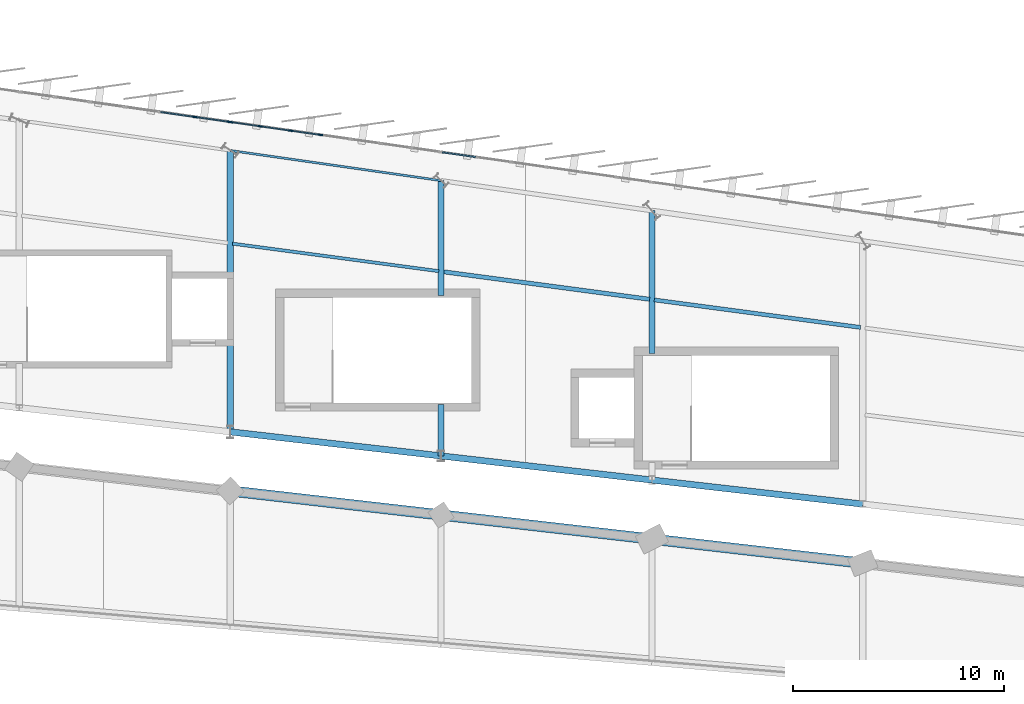
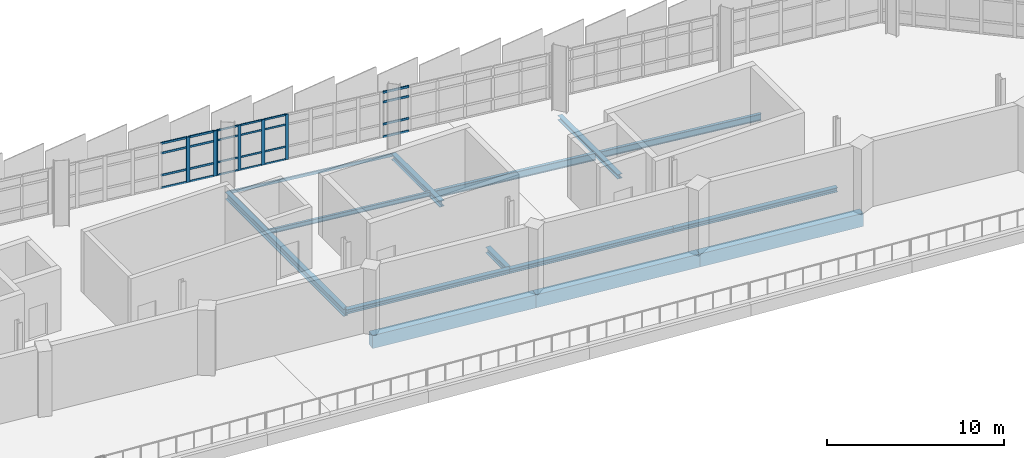
# One storey, part 36 of 87: 30 members, 14 beams, 3 elements without a shape of their own.
"""IFC4 building model written with IfcOpenShell, lengths in metres."""

from ifc_helpers import new_model, si_unit, direction, frame, origin, origin_2d, place, context, subcontext, project, spatial, rectangle, hollow_rectangle, i_section, extrude, material, layer, layer_set, material_profile, profile_set, type_object, element, aggregate, save


model = new_model("IFC4")

# Units and contexts
model_context = context("Model", 3, precision=1e-05, world=origin(), true_north=direction((0.0, 1.0)))
body_context = subcontext(model_context, "Body", "Model", "MODEL_VIEW")
ifc_project = project(units=[si_unit("LENGTHUNIT", "METRE"), si_unit("AREAUNIT", "SQUARE_METRE"), si_unit("VOLUMEUNIT", "CUBIC_METRE"), si_unit("PLANEANGLEUNIT", "RADIAN"), si_unit("MASSUNIT", "GRAM", prefix="KILO")], contexts=[model_context])

# Site, building, storey
site_placement = place(None, origin())
site = spatial("IfcSite", under=ifc_project, at=site_placement, CompositionType="ELEMENT")
building_placement = place(site_placement, origin())
building = spatial("IfcBuilding", under=site, at=building_placement, Name="Sohan Crest Arena", CompositionType="ELEMENT")
storey_placement = place(building_placement, frame((0.0, 0.0, 18.0)))
storey = spatial("IfcBuildingStorey", under=building, at=storey_placement, Name="L04", CompositionType="ELEMENT", Elevation=18.0)

# Curtain wall, members
ifc_material_1 = material(Name="Thermally broken anodised aluminium", Category="aluminium")
ifc_layer_1 = layer(ifc_material_1, 0.179931640625, Name="Thermally broken anodised aluminium")
ifc_layer_set_1 = layer_set([ifc_layer_1], Name="Thermally broken anodised aluminium")
curtain_wall_type_1 = type_object("IfcCurtainWallType", Name="ARC-CW01", PredefinedType="NOTDEFINED", material=ifc_layer_set_1)
curtain_wall_1_placement = place(storey_placement, origin())
curtain_wall_1 = element("IfcCurtainWall", 1, at=curtain_wall_1_placement, inside=storey, type_object=curtain_wall_type_1, Name="Unitised curtain wall CW-142", PredefinedType="NOTDEFINED")
ifc_material_profile_1 = material_profile(ifc_material_1, rectangle(XDim=0.070068359375, YDim=0.199951171875, at=origin_2d()), Name="ALU-MULL 70x200")
ifc_profile_set_1 = profile_set([ifc_material_profile_1], Name="Thermally broken anodised aluminium")
member_type_1 = type_object("IfcMemberType", Name="ARC-CW-ML03", PredefinedType="MULLION", material=ifc_profile_set_1)
member_1_placement = place(storey_placement, frame((132.28564453125, 122.451904296875, 0.0), z_axis=(0.0, 0.0, 1.0), x_axis=(-0.141365918403, -0.989957411768, 0.0)))
member_1 = element("IfcMember", 2, at=member_1_placement, type_object=member_type_1, Name="CW-142 mullion 5", PredefinedType="MULLION", context=body_context, shape_type="SweptSolid", body=[
    extrude(rectangle(XDim=0.070068359375, YDim=0.199951171875, at=origin_2d()), origin(), (0.0, 0.0, 1.0), 3.1201171875),
])
member_2_placement = place(storey_placement, frame((130.857177734375, 122.656005859375, 0.0), z_axis=(0.0, 0.0, 1.0), x_axis=(-0.141365918403, -0.989957411768, 0.0)))
member_2 = element("IfcMember", 3, at=member_2_placement, type_object=member_type_1, Name="CW-142 mullion 6", PredefinedType="MULLION", context=body_context, shape_type="SweptSolid", body=[
    extrude(rectangle(XDim=0.070068359375, YDim=0.199951171875, at=origin_2d()), origin(), (0.0, 0.0, 1.0), 3.1201171875),
])
member_3_placement = place(storey_placement, frame((129.428466796875, 122.860107421875, 0.0), z_axis=(0.0, 0.0, 1.0), x_axis=(-0.141365918403, -0.989957411768, 0.0)))
member_3 = element("IfcMember", 4, at=member_3_placement, type_object=member_type_1, Name="CW-142 mullion 7", PredefinedType="MULLION", context=body_context, shape_type="SweptSolid", body=[
    extrude(rectangle(XDim=0.070068359375, YDim=0.199951171875, at=origin_2d()), origin(), (0.0, 0.0, 1.0), 3.1201171875),
])
member_4_placement = place(storey_placement, frame((128.03466796875, 123.05908203125, 0.0), z_axis=(0.0, 0.0, 1.0), x_axis=(-0.141365918403, -0.989957411768, 0.0)))
member_4 = element("IfcMember", 5, at=member_4_placement, type_object=member_type_1, Name="CW-142 mullion 8", PredefinedType="MULLION", context=body_context, shape_type="SweptSolid", body=[
    extrude(rectangle(XDim=0.070068359375, YDim=0.199951171875, at=origin_2d()), origin(), (0.0, 0.0, 1.0), 3.1201171875),
])

ifc_layer_2 = layer(ifc_material_1, 0.199951171875, Name="Thermally broken anodised aluminium")
ifc_layer_set_2 = layer_set([ifc_layer_2], Name="Thermally broken anodised aluminium")
curtain_wall_type_2 = type_object("IfcCurtainWallType", Name="ARC-CW02", PredefinedType="NOTDEFINED", material=ifc_layer_set_2)
curtain_wall_2_placement = place(storey_placement, origin())
curtain_wall_2 = element("IfcCurtainWall", 6, at=curtain_wall_2_placement, inside=storey, type_object=curtain_wall_type_2, Name="Unitised curtain wall CW-143", PredefinedType="NOTDEFINED")
ifc_material_profile_2 = material_profile(ifc_material_1, rectangle(XDim=0.074951171875, YDim=0.219970703125, at=origin_2d()), Name="ALU-MULL 75x220")
ifc_profile_set_2 = profile_set([ifc_material_profile_2], Name="Thermally broken anodised aluminium")
member_type_2 = type_object("IfcMemberType", Name="ARC-CW-ML04", PredefinedType="MULLION", material=ifc_profile_set_2)
member_5_placement = place(storey_placement, frame((127.962890625, 123.0693359375, 0.0), z_axis=(0.0, 0.0, 1.0), x_axis=(-0.141462933734, -0.989943553128, 0.0)))
member_5 = element("IfcMember", 7, at=member_5_placement, type_object=member_type_2, Name="CW-143 mullion 1", PredefinedType="MULLION", context=body_context, shape_type="SweptSolid", body=[
    extrude(rectangle(XDim=0.074951171875, YDim=0.219970703125, at=origin_2d()), origin(), (0.0, 0.0, 1.0), 3.1201171875),
])
member_6_placement = place(storey_placement, frame((126.333251953125, 123.30224609375, 0.0), z_axis=(0.0, 0.0, 1.0), x_axis=(-0.141462933734, -0.989943553128, 0.0)))
member_6 = element("IfcMember", 8, at=member_6_placement, type_object=member_type_2, Name="CW-143 mullion 2", PredefinedType="MULLION", context=body_context, shape_type="SweptSolid", body=[
    extrude(rectangle(XDim=0.074951171875, YDim=0.219970703125, at=origin_2d()), origin(), (0.0, 0.0, 1.0), 3.1201171875),
])

# Member
ifc_material_profile_3 = material_profile(ifc_material_1, rectangle(XDim=0.06005859375, YDim=0.1201171875, at=origin_2d()), Name="ALU-TRAN 60x120")
ifc_profile_set_3 = profile_set([ifc_material_profile_3], Name="Thermally broken anodised aluminium")
member_type_3 = type_object("IfcMemberType", Name="ARC-CW-TR01", PredefinedType="USERDEFINED", material=ifc_profile_set_3)
member_7_placement = place(storey_placement, frame((132.2509765625, 122.45703125, 0.030029296875), z_axis=(-0.989956605444, 0.141371564815, 0.0), x_axis=(-0.141371564815, -0.989956605444, 0.0)))
member_7 = element("IfcMember", 9, at=member_7_placement, type_object=member_type_3, Name="CW-142 transom 5.1", ObjectType="TRANSOM", PredefinedType="USERDEFINED", context=body_context, shape_type="SweptSolid", body=[
    extrude(rectangle(XDim=0.06005859375, YDim=0.1201171875, at=origin_2d()), origin(), (0.0, 0.0, 1.0), 1.372802734375),
])

member_8_placement = place(storey_placement, frame((132.2509765625, 122.45703125, 0.89990234375), z_axis=(-0.989956605444, 0.141371564815, 0.0), x_axis=(-0.141371564815, -0.989956605444, 0.0)))
member_8 = element("IfcMember", 10, at=member_8_placement, type_object=member_type_3, Name="CW-142 transom 5.2", ObjectType="TRANSOM", PredefinedType="USERDEFINED", context=body_context, shape_type="SweptSolid", body=[
    extrude(rectangle(XDim=0.06005859375, YDim=0.1201171875, at=origin_2d()), origin(), (0.0, 0.0, 1.0), 1.372802734375),
])

member_9_placement = place(storey_placement, frame((132.2509765625, 122.45703125, 2.419921875), z_axis=(-0.989956605444, 0.141371564815, 0.0), x_axis=(-0.141371564815, -0.989956605444, 0.0)))
member_9 = element("IfcMember", 11, at=member_9_placement, type_object=member_type_3, Name="CW-142 transom 5.3", ObjectType="TRANSOM", PredefinedType="USERDEFINED", context=body_context, shape_type="SweptSolid", body=[
    extrude(rectangle(XDim=0.06005859375, YDim=0.1201171875, at=origin_2d()), origin(), (0.0, 0.0, 1.0), 1.372802734375),
])

member_10_placement = place(storey_placement, frame((132.2509765625, 122.45703125, 3.090087890625), z_axis=(-0.989956605444, 0.141371564815, 0.0), x_axis=(-0.141371564815, -0.989956605444, 0.0)))
member_10 = element("IfcMember", 12, at=member_10_placement, type_object=member_type_3, Name="CW-142 transom 5.4", ObjectType="TRANSOM", PredefinedType="USERDEFINED", context=body_context, shape_type="SweptSolid", body=[
    extrude(rectangle(XDim=0.06005859375, YDim=0.1201171875, at=origin_2d()), origin(), (0.0, 0.0, 1.0), 1.372802734375),
])

member_11_placement = place(storey_placement, frame((130.822509765625, 122.660888671875, 0.030029296875), z_axis=(-0.989960158519, 0.141346682116, 0.0), x_axis=(-0.141346682116, -0.989960158519, 0.0)))
member_11 = element("IfcMember", 13, at=member_11_placement, type_object=member_type_3, Name="CW-142 transom 6.1", ObjectType="TRANSOM", PredefinedType="USERDEFINED", context=body_context, shape_type="SweptSolid", body=[
    extrude(rectangle(XDim=0.06005859375, YDim=0.1201171875, at=origin_2d()), origin(), (0.0, 0.0, 1.0), 1.373046875),
])

member_12_placement = place(storey_placement, frame((130.822509765625, 122.660888671875, 0.89990234375), z_axis=(-0.989960158519, 0.141346682116, 0.0), x_axis=(-0.141346682116, -0.989960158519, 0.0)))
member_12 = element("IfcMember", 14, at=member_12_placement, type_object=member_type_3, Name="CW-142 transom 6.2", ObjectType="TRANSOM", PredefinedType="USERDEFINED", context=body_context, shape_type="SweptSolid", body=[
    extrude(rectangle(XDim=0.06005859375, YDim=0.1201171875, at=origin_2d()), origin(), (0.0, 0.0, 1.0), 1.373046875),
])

member_13_placement = place(storey_placement, frame((130.822509765625, 122.660888671875, 2.419921875), z_axis=(-0.989960158519, 0.141346682116, 0.0), x_axis=(-0.141346682116, -0.989960158519, 0.0)))
member_13 = element("IfcMember", 15, at=member_13_placement, type_object=member_type_3, Name="CW-142 transom 6.3", ObjectType="TRANSOM", PredefinedType="USERDEFINED", context=body_context, shape_type="SweptSolid", body=[
    extrude(rectangle(XDim=0.06005859375, YDim=0.1201171875, at=origin_2d()), origin(), (0.0, 0.0, 1.0), 1.373046875),
])

member_14_placement = place(storey_placement, frame((130.822509765625, 122.660888671875, 3.090087890625), z_axis=(-0.989960158519, 0.141346682116, 0.0), x_axis=(-0.141346682116, -0.989960158519, 0.0)))
member_14 = element("IfcMember", 16, at=member_14_placement, type_object=member_type_3, Name="CW-142 transom 6.4", ObjectType="TRANSOM", PredefinedType="USERDEFINED", context=body_context, shape_type="SweptSolid", body=[
    extrude(rectangle(XDim=0.06005859375, YDim=0.1201171875, at=origin_2d()), origin(), (0.0, 0.0, 1.0), 1.373046875),
])

member_15_placement = place(storey_placement, frame((129.39404296875, 122.864990234375, 0.030029296875), z_axis=(-0.989953142256, 0.141395813721, 0.0), x_axis=(-0.141395813721, -0.989953142256, 0.0)))
member_15 = element("IfcMember", 17, at=member_15_placement, type_object=member_type_3, Name="CW-142 transom 7.1", ObjectType="TRANSOM", PredefinedType="USERDEFINED", context=body_context, shape_type="SweptSolid", body=[
    extrude(rectangle(XDim=0.06005859375, YDim=0.1201171875, at=origin_2d()), origin(), (0.0, 0.0, 1.0), 1.338134765625),
])

member_16_placement = place(storey_placement, frame((129.39404296875, 122.864990234375, 0.89990234375), z_axis=(-0.989953142256, 0.141395813721, 0.0), x_axis=(-0.141395813721, -0.989953142256, 0.0)))
member_16 = element("IfcMember", 18, at=member_16_placement, type_object=member_type_3, Name="CW-142 transom 7.2", ObjectType="TRANSOM", PredefinedType="USERDEFINED", context=body_context, shape_type="SweptSolid", body=[
    extrude(rectangle(XDim=0.06005859375, YDim=0.1201171875, at=origin_2d()), origin(), (0.0, 0.0, 1.0), 1.338134765625),
])

member_17_placement = place(storey_placement, frame((129.39404296875, 122.864990234375, 2.419921875), z_axis=(-0.989953142256, 0.141395813721, 0.0), x_axis=(-0.141395813721, -0.989953142256, 0.0)))
member_17 = element("IfcMember", 19, at=member_17_placement, type_object=member_type_3, Name="CW-142 transom 7.3", ObjectType="TRANSOM", PredefinedType="USERDEFINED", context=body_context, shape_type="SweptSolid", body=[
    extrude(rectangle(XDim=0.06005859375, YDim=0.1201171875, at=origin_2d()), origin(), (0.0, 0.0, 1.0), 1.338134765625),
])

member_18_placement = place(storey_placement, frame((129.39404296875, 122.864990234375, 3.090087890625), z_axis=(-0.989953142256, 0.141395813721, 0.0), x_axis=(-0.141395813721, -0.989953142256, 0.0)))
member_18 = element("IfcMember", 20, at=member_18_placement, type_object=member_type_3, Name="CW-142 transom 7.4", ObjectType="TRANSOM", PredefinedType="USERDEFINED", context=body_context, shape_type="SweptSolid", body=[
    extrude(rectangle(XDim=0.06005859375, YDim=0.1201171875, at=origin_2d()), origin(), (0.0, 0.0, 1.0), 1.338134765625),
])

aggregate(curtain_wall_1, [member_1, member_2, member_3, member_4, member_7, member_8, member_9, member_10, member_11, member_12, member_13, member_14, member_15, member_16, member_17, member_18])

ifc_material_profile_4 = material_profile(ifc_material_1, rectangle(XDim=0.06494140625, YDim=0.139892578125, at=origin_2d()), Name="ALU-TRAN 65x140")
ifc_profile_set_4 = profile_set([ifc_material_profile_4], Name="Thermally broken anodised aluminium")
member_type_4 = type_object("IfcMemberType", Name="ARC-CW-TR02", PredefinedType="USERDEFINED", material=ifc_profile_set_4)
member_19_placement = place(storey_placement, frame((127.92578125, 123.07470703125, 0.032470703125), z_axis=(-0.989952601106, 0.141399602418, 0.0), x_axis=(-0.141399602418, -0.989952601106, 0.0)))
member_19 = element("IfcMember", 21, at=member_19_placement, type_object=member_type_4, Name="CW-143 transom 1.1", ObjectType="TRANSOM", PredefinedType="USERDEFINED", context=body_context, shape_type="SweptSolid", body=[
    extrude(rectangle(XDim=0.06494140625, YDim=0.139892578125, at=origin_2d()), origin(), (0.0, 0.0, 1.0), 1.5712890625),
])

member_20_placement = place(storey_placement, frame((127.92578125, 123.07470703125, 0.89990234375), z_axis=(-0.989952601106, 0.141399602418, 0.0), x_axis=(-0.141399602418, -0.989952601106, 0.0)))
member_20 = element("IfcMember", 22, at=member_20_placement, type_object=member_type_4, Name="CW-143 transom 1.2", ObjectType="TRANSOM", PredefinedType="USERDEFINED", context=body_context, shape_type="SweptSolid", body=[
    extrude(rectangle(XDim=0.06494140625, YDim=0.139892578125, at=origin_2d()), origin(), (0.0, 0.0, 1.0), 1.5712890625),
])

member_21_placement = place(storey_placement, frame((127.92578125, 123.07470703125, 2.419921875), z_axis=(-0.989952601106, 0.141399602418, 0.0), x_axis=(-0.141399602418, -0.989952601106, 0.0)))
member_21 = element("IfcMember", 23, at=member_21_placement, type_object=member_type_4, Name="CW-143 transom 1.3", ObjectType="TRANSOM", PredefinedType="USERDEFINED", context=body_context, shape_type="SweptSolid", body=[
    extrude(rectangle(XDim=0.06494140625, YDim=0.139892578125, at=origin_2d()), origin(), (0.0, 0.0, 1.0), 1.5712890625),
])

member_22_placement = place(storey_placement, frame((127.92578125, 123.07470703125, 3.08740234375), z_axis=(-0.989952601106, 0.141399602418, 0.0), x_axis=(-0.141399602418, -0.989952601106, 0.0)))
member_22 = element("IfcMember", 24, at=member_22_placement, type_object=member_type_4, Name="CW-143 transom 1.4", ObjectType="TRANSOM", PredefinedType="USERDEFINED", context=body_context, shape_type="SweptSolid", body=[
    extrude(rectangle(XDim=0.06494140625, YDim=0.139892578125, at=origin_2d()), origin(), (0.0, 0.0, 1.0), 1.5712890625),
])

member_23_placement = place(storey_placement, frame((126.296142578125, 123.307373046875, 0.032470703125), z_axis=(-0.989943421339, 0.141463855978, 0.0), x_axis=(-0.141463855978, -0.989943421339, 0.0)))
member_23 = element("IfcMember", 25, at=member_23_placement, type_object=member_type_4, Name="CW-143 transom 2.1", ObjectType="TRANSOM", PredefinedType="USERDEFINED", context=body_context, shape_type="SweptSolid", body=[
    extrude(rectangle(XDim=0.06494140625, YDim=0.139892578125, at=origin_2d()), origin(), (0.0, 0.0, 1.0), 1.6083984375),
])

member_24_placement = place(storey_placement, frame((126.296142578125, 123.307373046875, 0.89990234375), z_axis=(-0.989943421339, 0.141463855978, 0.0), x_axis=(-0.141463855978, -0.989943421339, 0.0)))
member_24 = element("IfcMember", 26, at=member_24_placement, type_object=member_type_4, Name="CW-143 transom 2.2", ObjectType="TRANSOM", PredefinedType="USERDEFINED", context=body_context, shape_type="SweptSolid", body=[
    extrude(rectangle(XDim=0.06494140625, YDim=0.139892578125, at=origin_2d()), origin(), (0.0, 0.0, 1.0), 1.6083984375),
])

member_25_placement = place(storey_placement, frame((126.296142578125, 123.307373046875, 2.419921875), z_axis=(-0.989943421339, 0.141463855978, 0.0), x_axis=(-0.141463855978, -0.989943421339, 0.0)))
member_25 = element("IfcMember", 27, at=member_25_placement, type_object=member_type_4, Name="CW-143 transom 2.3", ObjectType="TRANSOM", PredefinedType="USERDEFINED", context=body_context, shape_type="SweptSolid", body=[
    extrude(rectangle(XDim=0.06494140625, YDim=0.139892578125, at=origin_2d()), origin(), (0.0, 0.0, 1.0), 1.6083984375),
])

member_26_placement = place(storey_placement, frame((126.296142578125, 123.307373046875, 3.08740234375), z_axis=(-0.989943421339, 0.141463855978, 0.0), x_axis=(-0.141463855978, -0.989943421339, 0.0)))
member_26 = element("IfcMember", 28, at=member_26_placement, type_object=member_type_4, Name="CW-143 transom 2.4", ObjectType="TRANSOM", PredefinedType="USERDEFINED", context=body_context, shape_type="SweptSolid", body=[
    extrude(rectangle(XDim=0.06494140625, YDim=0.139892578125, at=origin_2d()), origin(), (0.0, 0.0, 1.0), 1.6083984375),
])

aggregate(curtain_wall_2, [member_5, member_6, member_19, member_20, member_21, member_22, member_23, member_24, member_25, member_26])

# Curtain wall, members
ifc_layer_3 = layer(ifc_material_1, 0.2099609375, Name="Thermally broken anodised aluminium")
ifc_layer_set_3 = layer_set([ifc_layer_3], Name="Thermally broken anodised aluminium")
curtain_wall_type_3 = type_object("IfcCurtainWallType", Name="ARC-CW06", PredefinedType="NOTDEFINED", material=ifc_layer_set_3)
curtain_wall_3_placement = place(storey_placement, origin())
curtain_wall_3 = element("IfcCurtainWall", 29, at=curtain_wall_3_placement, inside=storey, type_object=curtain_wall_type_3, Name="Unitised curtain wall CW-141", PredefinedType="NOTDEFINED")
ifc_material_profile_5 = material_profile(ifc_material_1, rectangle(XDim=0.070068359375, YDim=0.14990234375, at=origin_2d()), Name="ALU-TRAN 70x150")
ifc_profile_set_5 = profile_set([ifc_material_profile_5], Name="Thermally broken anodised aluminium")
member_type_5 = type_object("IfcMemberType", Name="ARC-CW-TR03", PredefinedType="USERDEFINED", material=ifc_profile_set_5)
member_27_placement = place(storey_placement, frame((139.634521484375, 121.40234375, 0.034912109375), z_axis=(-0.989943335402, 0.141464457353, 0.0), x_axis=(-0.141464457353, -0.989943335402, 0.0)))
member_27 = element("IfcMember", 30, at=member_27_placement, type_object=member_type_5, Name="CW-141 transom 6.1", ObjectType="TRANSOM", PredefinedType="USERDEFINED", context=body_context, shape_type="SweptSolid", body=[
    extrude(rectangle(XDim=0.070068359375, YDim=0.14990234375, at=origin_2d()), origin(), (0.0, 0.0, 1.0), 1.5859375),
])
member_28_placement = place(storey_placement, frame((139.634521484375, 121.40234375, 0.89990234375), z_axis=(-0.989943335402, 0.141464457353, 0.0), x_axis=(-0.141464457353, -0.989943335402, 0.0)))
member_28 = element("IfcMember", 31, at=member_28_placement, type_object=member_type_5, Name="CW-141 transom 6.2", ObjectType="TRANSOM", PredefinedType="USERDEFINED", context=body_context, shape_type="SweptSolid", body=[
    extrude(rectangle(XDim=0.070068359375, YDim=0.14990234375, at=origin_2d()), origin(), (0.0, 0.0, 1.0), 1.5859375),
])
member_29_placement = place(storey_placement, frame((139.634521484375, 121.40234375, 2.419921875), z_axis=(-0.989943335402, 0.141464457353, 0.0), x_axis=(-0.141464457353, -0.989943335402, 0.0)))
member_29 = element("IfcMember", 32, at=member_29_placement, type_object=member_type_5, Name="CW-141 transom 6.3", ObjectType="TRANSOM", PredefinedType="USERDEFINED", context=body_context, shape_type="SweptSolid", body=[
    extrude(rectangle(XDim=0.070068359375, YDim=0.14990234375, at=origin_2d()), origin(), (0.0, 0.0, 1.0), 1.5859375),
])
member_30_placement = place(storey_placement, frame((139.634521484375, 121.40234375, 3.0849609375), z_axis=(-0.989943335402, 0.141464457353, 0.0), x_axis=(-0.141464457353, -0.989943335402, 0.0)))
member_30 = element("IfcMember", 33, at=member_30_placement, type_object=member_type_5, Name="CW-141 transom 6.4", ObjectType="TRANSOM", PredefinedType="USERDEFINED", context=body_context, shape_type="SweptSolid", body=[
    extrude(rectangle(XDim=0.070068359375, YDim=0.14990234375, at=origin_2d()), origin(), (0.0, 0.0, 1.0), 1.5859375),
])
aggregate(curtain_wall_3, [member_27, member_28, member_29, member_30])

# Beams
ifc_material_2 = material(Name="Steel S355", Category="steel")
ifc_material_profile_6 = material_profile(ifc_material_2, i_section(OverallWidth=0.14990234375, OverallDepth=0.300048828125, WebThickness=0.007080078125, FlangeThickness=0.0107421875, at=origin_2d()), Name="IPE 300")
ifc_profile_set_6 = profile_set([ifc_material_profile_6], Name="Steel S355")
beam_type_1 = type_object("IfcBeamType", Name="STR-BM-B01", PredefinedType="JOIST", material=ifc_profile_set_6)
beam_1_placement = place(storey_placement, frame((137.89111328125, 115.991943359375, -0.39990234375), z_axis=(-0.991232437337, 0.132129690721, 0.0), x_axis=(-0.132129690721, -0.991232437337, 0.0)))
element("IfcBeam", 34, at=beam_1_placement, inside=storey, type_object=beam_type_1, Name="Structural beam J-L04-1692", PredefinedType="JOIST", context=body_context, shape_type="SweptSolid", body=[
    extrude(i_section(OverallWidth=0.14990234375, OverallDepth=0.300048828125, WebThickness=0.007080078125, FlangeThickness=0.0107421875, at=origin_2d()), origin(), (0.0, 0.0, 1.0), 9.86865234375),
])
ifc_material_profile_7 = material_profile(ifc_material_2, i_section(OverallWidth=0.18994140625, OverallDepth=0.449951171875, WebThickness=0.009521484375, FlangeThickness=0.0146484375, at=origin_2d()), Name="IPE 450")
ifc_profile_set_7 = profile_set([ifc_material_profile_7], Name="Steel S355")
beam_type_2 = type_object("IfcBeamType", Name="STR-BM-B04", PredefinedType="JOIST", material=ifc_profile_set_7)
beam_2_placement = place(storey_placement, frame((157.89111328125, 113.323974609375, -0.47509765625), z_axis=(-0.991232437337, 0.132129690721, 0.0), x_axis=(-0.132129690721, -0.991232437337, 0.0)))
element("IfcBeam", 35, at=beam_2_placement, inside=storey, type_object=beam_type_2, Name="Structural beam J-L04-1682", PredefinedType="JOIST", context=body_context, shape_type="SweptSolid", body=[
    extrude(i_section(OverallWidth=0.18994140625, OverallDepth=0.449951171875, WebThickness=0.009521484375, FlangeThickness=0.0146484375, at=origin_2d()), origin(), (0.0, 0.0, 1.0), 9.86865234375),
])
ifc_material_profile_8 = material_profile(ifc_material_2, i_section(OverallWidth=0.199951171875, OverallDepth=0.5, WebThickness=0.01025390625, FlangeThickness=0.01611328125, at=origin_2d()), Name="IPE 500")
ifc_profile_set_8 = profile_set([ifc_material_profile_8], Name="Steel S355")
beam_type_3 = type_object("IfcBeamType", Name="STR-BM-B05", PredefinedType="JOIST", material=ifc_profile_set_8)
beam_3_placement = place(storey_placement, frame((147.89111328125, 114.657958984375, -0.5), z_axis=(-0.991232437337, 0.132129690721, 0.0), x_axis=(-0.132129690721, -0.991232437337, 0.0)))
element("IfcBeam", 36, at=beam_3_placement, inside=storey, type_object=beam_type_3, Name="Structural beam J-L04-1687", PredefinedType="JOIST", context=body_context, shape_type="SweptSolid", body=[
    extrude(i_section(OverallWidth=0.199951171875, OverallDepth=0.5, WebThickness=0.01025390625, FlangeThickness=0.01611328125, at=origin_2d()), origin(), (0.0, 0.0, 1.0), 9.86865234375),
])
ifc_material_profile_9 = material_profile(ifc_material_2, i_section(OverallWidth=0.300048828125, OverallDepth=0.300048828125, WebThickness=0.010986328125, FlangeThickness=0.01904296875, at=origin_2d()), Name="HEB 300")
ifc_profile_set_9 = profile_set([ifc_material_profile_9], Name="Steel S355")
beam_type_4 = type_object("IfcBeamType", Name="STR-BM-B12", PredefinedType="BEAM", material=ifc_profile_set_9)
beam_4_placement = place(storey_placement, frame((158.0, 104.943115234375, -0.39990234375), z_axis=(-0.993533063564, 0.113543170668, 0.0), x_axis=(-0.113543170668, -0.993533063564, 0.0)))
element("IfcBeam", 37, at=beam_4_placement, inside=storey, type_object=beam_type_4, Name="Structural beam G-L04-1680", PredefinedType="BEAM", context=body_context, shape_type="SweptSolid", body=[
    extrude(i_section(OverallWidth=0.300048828125, OverallDepth=0.300048828125, WebThickness=0.010986328125, FlangeThickness=0.01904296875, at=origin_2d()), origin(), (0.0, 0.0, 1.0), 10.065185546875),
])
beam_5_placement = place(storey_placement, frame((148.0, 112.080078125, -0.39990234375), z_axis=(0.0, 1.0, 0.0), x_axis=(-1.0, 0.0, 0.0)))
element("IfcBeam", 38, at=beam_5_placement, inside=storey, type_object=beam_type_4, Name="Structural beam G-L04-1684", PredefinedType="BEAM", context=body_context, shape_type="SweptSolid", body=[
    extrude(i_section(OverallWidth=0.300048828125, OverallDepth=0.300048828125, WebThickness=0.010986328125, FlangeThickness=0.01904296875, at=origin_2d()), origin(), (0.0, 0.0, 1.0), 6.77685546875),
])
beam_6_placement = place(storey_placement, frame((148.0, 106.0859375, -0.39990234375), z_axis=(-0.99353032697, 0.113567114035, 0.0), x_axis=(-0.113567114035, -0.99353032697, 0.0)))
element("IfcBeam", 39, at=beam_6_placement, inside=storey, type_object=beam_type_4, Name="Structural beam G-L04-1685", PredefinedType="BEAM", context=body_context, shape_type="SweptSolid", body=[
    extrude(i_section(OverallWidth=0.300048828125, OverallDepth=0.300048828125, WebThickness=0.010986328125, FlangeThickness=0.01904296875, at=origin_2d()), origin(), (0.0, 0.0, 1.0), 10.065185546875),
])
beam_7_placement = place(storey_placement, frame((138.0, 107.22900390625, -0.39990234375), z_axis=(-0.993541269973, 0.113471339378, 0.0), x_axis=(-0.113471339378, -0.993541269973, 0.0)))
element("IfcBeam", 40, at=beam_7_placement, inside=storey, type_object=beam_type_4, Name="Structural beam G-L04-1690", PredefinedType="BEAM", context=body_context, shape_type="SweptSolid", body=[
    extrude(i_section(OverallWidth=0.300048828125, OverallDepth=0.300048828125, WebThickness=0.010986328125, FlangeThickness=0.01904296875, at=origin_2d()), origin(), (0.0, 0.0, 1.0), 10.06494140625),
])
ifc_material_profile_10 = material_profile(ifc_material_2, i_section(OverallWidth=0.300048828125, OverallDepth=0.39990234375, WebThickness=0.013427734375, FlangeThickness=0.02392578125, at=origin_2d()), Name="HEB 400")
ifc_profile_set_10 = profile_set([ifc_material_profile_10], Name="Steel S355")
beam_type_5 = type_object("IfcBeamType", Name="STR-BM-B13", PredefinedType="BEAM", material=ifc_profile_set_10)
beam_8_placement = place(storey_placement, frame((138.0, 107.22900390625, -0.449951171875), z_axis=(0.0, 1.0, 0.0), x_axis=(-1.0, 0.0, 0.0)))
element("IfcBeam", 41, at=beam_8_placement, inside=storey, type_object=beam_type_5, Name="Structural beam G-L04-1688", PredefinedType="BEAM", context=body_context, shape_type="SweptSolid", body=[
    extrude(i_section(OverallWidth=0.300048828125, OverallDepth=0.39990234375, WebThickness=0.013427734375, FlangeThickness=0.02392578125, at=origin_2d()), origin(), (0.0, 0.0, 1.0), 2.44091796875),
])
beam_9_placement = place(storey_placement, frame((138.0, 114.830078125, -0.449951171875), z_axis=(0.0, 1.0, 0.0), x_axis=(-1.0, 0.0, 0.0)))
element("IfcBeam", 42, at=beam_9_placement, inside=storey, type_object=beam_type_5, Name="Structural beam G-L04-1689", PredefinedType="BEAM", context=body_context, shape_type="SweptSolid", body=[
    extrude(i_section(OverallWidth=0.300048828125, OverallDepth=0.39990234375, WebThickness=0.013427734375, FlangeThickness=0.02392578125, at=origin_2d()), origin(), (0.0, 0.0, 1.0), 5.455810546875),
])
ifc_material_profile_11 = material_profile(ifc_material_2, i_section(OverallWidth=0.300048828125, OverallDepth=0.5, WebThickness=0.014404296875, FlangeThickness=0.028076171875, at=origin_2d()), Name="HEB 500")
ifc_profile_set_11 = profile_set([ifc_material_profile_11], Name="Steel S355")
beam_type_6 = type_object("IfcBeamType", Name="STR-BM-B14", PredefinedType="BEAM", material=ifc_profile_set_11)
beam_10_placement = place(storey_placement, frame((128.0, 108.37109375, -0.5), z_axis=(0.0, 1.0, 0.0), x_axis=(-1.0, 0.0, 0.0)))
element("IfcBeam", 43, at=beam_10_placement, inside=storey, type_object=beam_type_6, Name="Structural beam G-L04-1693", PredefinedType="BEAM", context=body_context, shape_type="SweptSolid", body=[
    extrude(i_section(OverallWidth=0.300048828125, OverallDepth=0.5, WebThickness=0.014404296875, FlangeThickness=0.028076171875, at=origin_2d()), origin(), (0.0, 0.0, 1.0), 13.343017578125),
])
ifc_material_profile_12 = material_profile(ifc_material_2, hollow_rectangle(XDim=0.10009765625, YDim=0.199951171875, WallThickness=0.008056640625, at=origin_2d()), Name="RHS 200x100x8")
ifc_profile_set_12 = profile_set([ifc_material_profile_12], Name="Steel S355")
beam_type_7 = type_object("IfcBeamType", Name="STR-BM-SP01", PredefinedType="SPANDREL", material=ifc_profile_set_12)
beam_11_placement = place(storey_placement, frame((138.0, 120.285888671875, -0.35009765625), z_axis=(-0.989954326844, 0.141387519825, 0.0), x_axis=(-0.141387519825, -0.989954326844, 0.0)))
element("IfcBeam", 44, at=beam_11_placement, inside=storey, type_object=beam_type_7, Name="Structural beam SP-L04-1691", PredefinedType="SPANDREL", context=body_context, shape_type="SweptSolid", body=[
    extrude(hollow_rectangle(XDim=0.10009765625, YDim=0.199951171875, WallThickness=0.008056640625, at=origin_2d()), origin(), (0.0, 0.0, 1.0), 10.1015625),
])
ifc_material_3 = material(Name="Concrete C40/50", Category="concrete")
ifc_material_profile_13 = material_profile(ifc_material_3, rectangle(XDim=0.5, YDim=0.89990234375, at=origin_2d()), Name="RC-BM 500x900")
ifc_profile_set_13 = profile_set([ifc_material_profile_13], Name="Concrete C40/50")
beam_type_8 = type_object("IfcBeamType", Name="STR-BM-TB03", PredefinedType="BEAM", material=ifc_profile_set_13)
for number, where, z_axis, x_axis, name in (
    (45, (158.0, 102.14306640625, -0.699951171875), (-0.993533063564, 0.113543170668, 0.0), (-0.113543170668, -0.993533063564, 0.0), "Structural beam TB-L04-0699"),
    (46, (148.0, 103.285888671875, -0.699951171875), (-0.99353032697, 0.113567114035, 0.0), (-0.113567114035, -0.99353032697, 0.0), "Structural beam TB-L04-0721"),
):
    element("IfcBeam", number, at=place(storey_placement, frame(where, z_axis=z_axis, x_axis=x_axis)), inside=storey, type_object=beam_type_8, Name=name, PredefinedType="BEAM", context=body_context, shape_type="SweptSolid", body=[
        extrude(rectangle(XDim=0.5, YDim=0.89990234375, at=origin_2d()), origin(), (0.0, 0.0, 1.0), 10.065185546875),
    ])
beam_12_placement = place(storey_placement, frame((138.0, 104.428955078125, -0.699951171875), z_axis=(-0.993541269973, 0.113471339378, 0.0), x_axis=(-0.113471339378, -0.993541269973, 0.0)))
element("IfcBeam", 47, at=beam_12_placement, inside=storey, type_object=beam_type_8, Name="Structural beam TB-L04-0743", PredefinedType="BEAM", context=body_context, shape_type="SweptSolid", body=[
    extrude(rectangle(XDim=0.5, YDim=0.89990234375, at=origin_2d()), origin(), (0.0, 0.0, 1.0), 10.06494140625),
])

save(model, "model.ifc")
